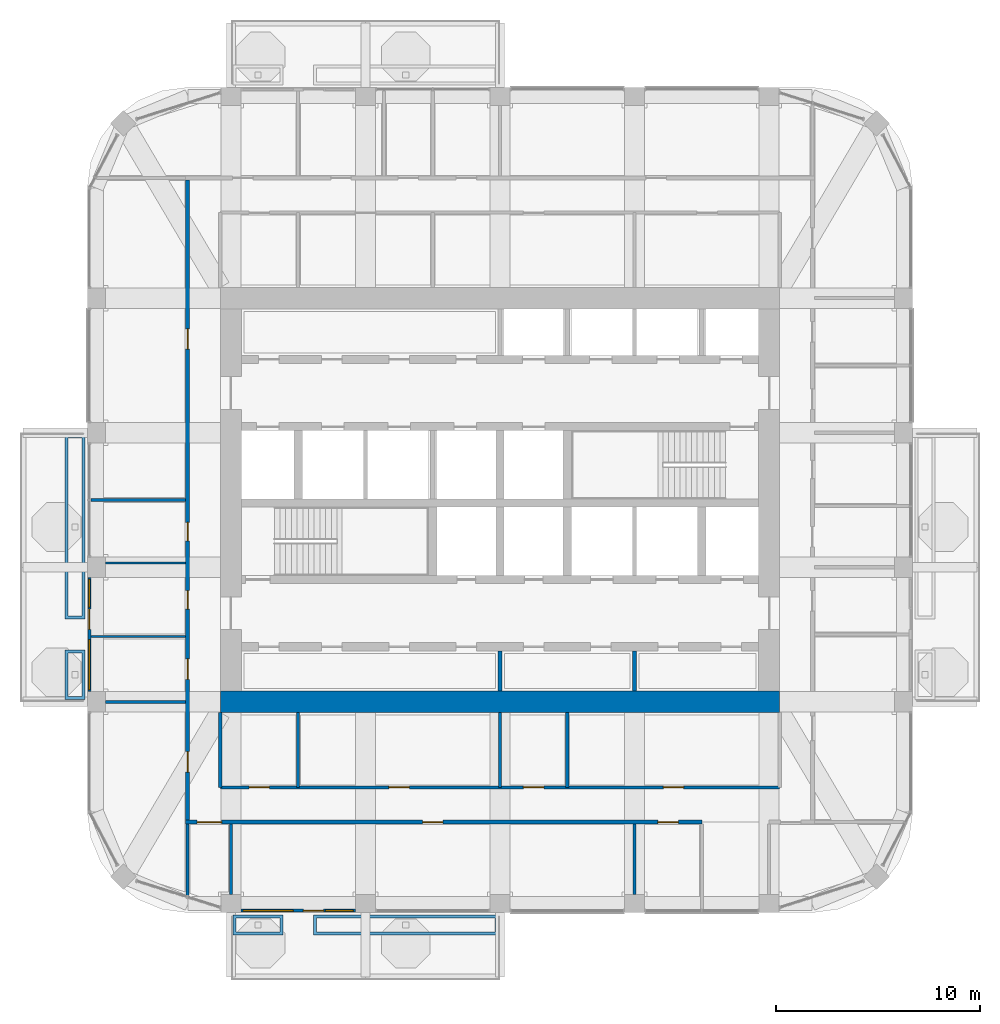
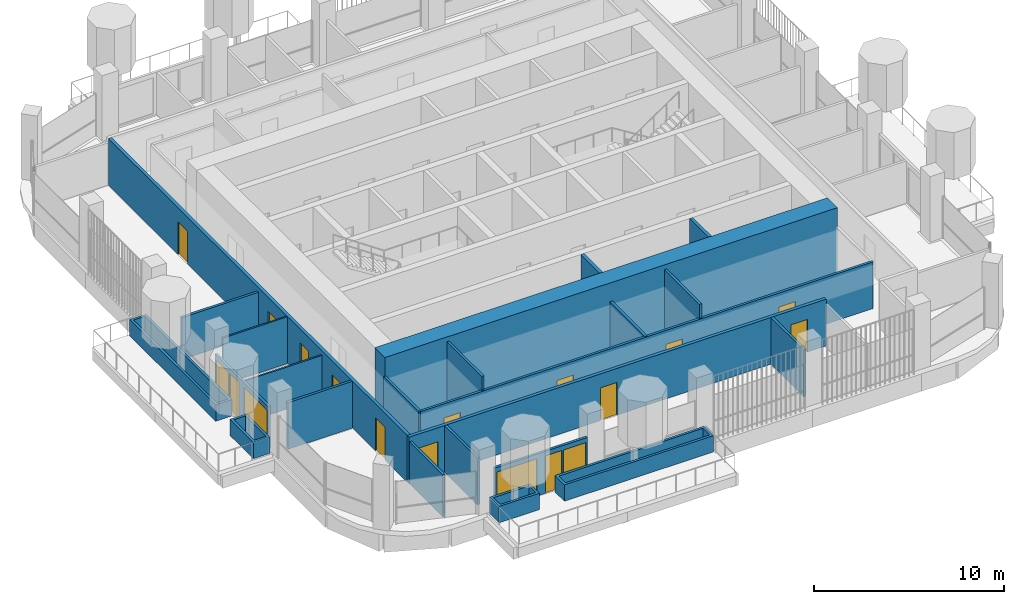
# One storey, part 12 of 20: 23 walls, 14 doors, 4 windows, 18 openings.
"""IFC4 building model written with IfcOpenShell, lengths in metres."""

from ifc_helpers import new_model, si_unit, direction, frame, frame_2d, origin, place, context, subcontext, project, spatial, polyline, rectangle, outline, extrude, material, layer, layer_set, type_object, element, fill, save


model = new_model("IFC4")

# Units and contexts
model_context = context("Model", 3, precision=1e-05, world=origin(), true_north=direction((0.0, 1.0)))
body_context = subcontext(model_context, "Body", "Model", "MODEL_VIEW")
ifc_project = project(units=[si_unit("LENGTHUNIT", "METRE"), si_unit("AREAUNIT", "SQUARE_METRE"), si_unit("VOLUMEUNIT", "CUBIC_METRE"), si_unit("PLANEANGLEUNIT", "RADIAN"), si_unit("MASSUNIT", "GRAM", prefix="KILO")], contexts=[model_context])

# Site, building, storey
site_placement = place(None, origin())
site = spatial("IfcSite", under=ifc_project, at=site_placement, CompositionType="ELEMENT")
building_placement = place(site_placement, origin())
building = spatial("IfcBuilding", under=site, at=building_placement, Name="Cobogo Forest Laboratory Tower", CompositionType="ELEMENT")
storey_placement = place(building_placement, frame((0.0, 0.0, 279.60009765625)))
storey = spatial("IfcBuildingStorey", under=building, at=storey_placement, Name="L64", CompositionType="ELEMENT", Elevation=279.60009765625)

# Wall
ifc_material_1 = material(Name="Concrete HA-50 (C50/60)", Category="concrete")
ifc_layer_1 = layer(ifc_material_1, 1.050048828125)
ifc_layer_set_1 = layer_set([ifc_layer_1], Name="CW1050 core outer wall 1050")
wall_type_1 = type_object("IfcWallType", Name="CW1050 core outer wall 1050", PredefinedType="SHEAR", material=ifc_layer_set_1)
wall_1_placement = place(storey_placement, frame((12.675048828125, 13.199951171875, 0.0), z_axis=(0.0, 0.0, 1.0), x_axis=(1.0, 0.0, 0.0)))
element("IfcWall", 1, at=wall_1_placement, inside=storey, type_object=wall_type_1, Name="Core wall CO-S L64", PredefinedType="SHEAR", context=body_context, shape_type="SweptSolid", body=[
    extrude(rectangle(XDim=27.449951171875, YDim=1.050048828125, at=frame_2d((13.72509765625, 0.0))), origin(), (0.0, 0.0, 1.0), 4.199951171875),
])

# Wall, openings, door, windows
ifc_material_2 = material(Name="Aluminium framed glazed screen", Category="aluminium")
ifc_layer_2 = layer(ifc_material_2, 0.14990234375)
ifc_layer_set_2 = layer_set([ifc_layer_2], Name="GS1 glazed door screen 150")
wall_type_2 = type_object("IfcWallType", Name="GS1 glazed door screen 150", PredefinedType="SOLIDWALL", material=ifc_layer_set_2)
wall_2_placement = place(storey_placement, frame((13.699951171875, 2.949951171875, 0.0), z_axis=(0.0, 0.0, 1.0), x_axis=(1.0, 0.0, 0.0)))
wall_2 = element("IfcWall", 2, at=wall_2_placement, inside=storey, type_object=wall_type_2, Name="Door screen BAL-S1 L64", PredefinedType="SOLIDWALL", context=body_context, shape_type="SweptSolid", body=[
    extrude(rectangle(XDim=5.60009765625, YDim=0.14990234375, at=frame_2d((2.800048828125, 0.0))), origin(), (0.0, 0.0, 1.0), 2.699951171875),
])
opening_1_placement = place(wall_2_placement, frame((3.050048828125, 0.0, 0.0)))
opening_1 = element("IfcOpeningElement", 3, at=opening_1_placement, cuts=wall_2, Name="Opening L64-D01", PredefinedType="OPENING", context=body_context, shape_type="SweptSolid", body=[
    extrude(rectangle(XDim=1.0, YDim=2.39990234375, at=frame_2d((0.5, 1.199951171875))), frame((0.0, 0.0849609375, 0.0), z_axis=(0.0, -1.0, 0.0), x_axis=(1.0, 0.0, 0.0)), (0.0, 0.0, 1.0), 0.169921875),
])
opening_2_placement = place(wall_2_placement, frame((0.10009765625, 0.0, 0.10009765625)))
opening_2 = element("IfcOpeningElement", 4, at=opening_2_placement, cuts=wall_2, Name="Opening L64-W01", PredefinedType="OPENING", context=body_context, shape_type="SweptSolid", body=[
    extrude(rectangle(XDim=2.449951171875, YDim=2.300048828125, at=frame_2d((1.22509765625, 1.14990234375))), frame((0.0, 0.0849609375, 0.0), z_axis=(0.0, -1.0, 0.0), x_axis=(1.0, 0.0, 0.0)), (0.0, 0.0, 1.0), 0.169921875),
])
opening_3_placement = place(wall_2_placement, frame((4.14990234375, 0.0, 0.10009765625)))
opening_3 = element("IfcOpeningElement", 5, at=opening_3_placement, cuts=wall_2, Name="Opening L64-W02", PredefinedType="OPENING", context=body_context, shape_type="SweptSolid", body=[
    extrude(rectangle(XDim=1.35009765625, YDim=2.300048828125, at=frame_2d((0.675048828125, 1.14990234375))), frame((0.0, 0.0849609375, 0.0), z_axis=(0.0, -1.0, 0.0), x_axis=(1.0, 0.0, 0.0)), (0.0, 0.0, 1.0), 0.169921875),
])
ifc_material_3 = material(Name="Aluminium glazed door", Category="aluminium")
door_type_1 = type_object("IfcDoorType", Name="DB1 balcony door 1000 glazed", OperationType="SINGLE_SWING_LEFT", PredefinedType="DOOR", material=ifc_material_3)
door_1_placement = place(opening_1_placement, origin())
door_1 = element("IfcDoor", 6, at=door_1_placement, inside=storey, type_object=door_type_1, Name="Door L64-BAL-S1", OperationType="SINGLE_SWING_RIGHT", OverallHeight=2.39990234375, OverallWidth=1.0, PredefinedType="DOOR", context=body_context, shape_type="SweptSolid", body=[
    extrude(rectangle(XDim=1.0, YDim=2.39990234375, at=frame_2d((0.5, 1.199951171875))), frame((0.0, 0.02490234375, 0.0), z_axis=(0.0, -1.0, 0.0), x_axis=(1.0, 0.0, 0.0)), (0.0, 0.0, 1.0), 0.050048828125),
])
fill(opening_1, door_1)
ifc_material_4 = material(Name="Aluminium framed glazing", Category="aluminium")
window_type_1 = type_object("IfcWindowType", Name="WG23 fixed glazed light 2450x2300", PartitioningType="SINGLE_PANEL", PredefinedType="WINDOW", material=ifc_material_4)
window_1_placement = place(opening_2_placement, origin())
window_1 = element("IfcWindow", 7, at=window_1_placement, inside=storey, type_object=window_type_1, Name="Window L64-BAL-S1-1", OverallHeight=2.300048828125, OverallWidth=2.449951171875, PartitioningType="SINGLE_PANEL", PredefinedType="WINDOW", context=body_context, shape_type="SweptSolid", body=[
    extrude(rectangle(XDim=2.449951171875, YDim=2.300048828125, at=frame_2d((1.22509765625, 1.14990234375))), frame((0.0, 0.030029296875, 0.0), z_axis=(0.0, -1.0, 0.0), x_axis=(1.0, 0.0, 0.0)), (0.0, 0.0, 1.0), 0.06005859375),
])
fill(opening_2, window_1)
window_type_2 = type_object("IfcWindowType", Name="WG24 fixed glazed light 1350x2300", PartitioningType="SINGLE_PANEL", PredefinedType="WINDOW", material=ifc_material_4)
window_2_placement = place(opening_3_placement, origin())
window_2 = element("IfcWindow", 8, at=window_2_placement, inside=storey, type_object=window_type_2, Name="Window L64-BAL-S1-2", OverallHeight=2.300048828125, OverallWidth=1.35009765625, PartitioningType="SINGLE_PANEL", PredefinedType="WINDOW", context=body_context, shape_type="SweptSolid", body=[
    extrude(rectangle(XDim=1.35009765625, YDim=2.300048828125, at=frame_2d((0.675048828125, 1.14990234375))), frame((0.0, 0.030029296875, 0.0), z_axis=(0.0, -1.0, 0.0), x_axis=(1.0, 0.0, 0.0)), (0.0, 0.0, 1.0), 0.06005859375),
])
fill(opening_3, window_2)

wall_3_placement = place(storey_placement, frame((6.25, 19.300048828125, 0.0), z_axis=(0.0, 0.0, 1.0), x_axis=(0.0, -1.0, 0.0)))
wall_3 = element("IfcWall", 9, at=wall_3_placement, inside=storey, type_object=wall_type_2, Name="Door screen BAL-W1 L64", PredefinedType="SOLIDWALL", context=body_context, shape_type="SweptSolid", body=[
    extrude(rectangle(XDim=5.60009765625, YDim=0.14990234375, at=frame_2d((2.800048828125, 0.0))), origin(), (0.0, 0.0, 1.0), 2.699951171875),
])
opening_4_placement = place(wall_3_placement, frame((1.550048828125, 0.0, 0.0)))
opening_4 = element("IfcOpeningElement", 10, at=opening_4_placement, cuts=wall_3, Name="Opening L64-D21", PredefinedType="OPENING", context=body_context, shape_type="SweptSolid", body=[
    extrude(rectangle(XDim=1.0, YDim=2.39990234375, at=frame_2d((0.5, 1.199951171875))), frame((0.0, 0.0849609375, 0.0), z_axis=(0.0, -1.0, 0.0), x_axis=(1.0, 0.0, 0.0)), (0.0, 0.0, 1.0), 0.169921875),
])
opening_5_placement = place(wall_3_placement, frame((0.10009765625, 0.0, 0.10009765625)))
opening_5 = element("IfcOpeningElement", 11, at=opening_5_placement, cuts=wall_3, Name="Opening L64-W05", PredefinedType="OPENING", context=body_context, shape_type="SweptSolid", body=[
    extrude(rectangle(XDim=1.35009765625, YDim=2.300048828125, at=frame_2d((0.675048828125, 1.14990234375))), frame((0.0, 0.0849609375, 0.0), z_axis=(0.0, -1.0, 0.0), x_axis=(1.0, 0.0, 0.0)), (0.0, 0.0, 1.0), 0.169921875),
])
opening_6_placement = place(wall_3_placement, frame((3.050048828125, 0.0, 0.10009765625)))
opening_6 = element("IfcOpeningElement", 12, at=opening_6_placement, cuts=wall_3, Name="Opening L64-W03", PredefinedType="OPENING", context=body_context, shape_type="SweptSolid", body=[
    extrude(rectangle(XDim=2.449951171875, YDim=2.300048828125, at=frame_2d((1.22509765625, 1.14990234375))), frame((0.0, 0.0849609375, 0.0), z_axis=(0.0, -1.0, 0.0), x_axis=(1.0, 0.0, 0.0)), (0.0, 0.0, 1.0), 0.169921875),
])
door_2_placement = place(opening_4_placement, origin())
door_2 = element("IfcDoor", 13, at=door_2_placement, inside=storey, type_object=door_type_1, Name="Door L64-BAL-W1", OperationType="SINGLE_SWING_LEFT", OverallHeight=2.39990234375, OverallWidth=1.0, PredefinedType="DOOR", context=body_context, shape_type="SweptSolid", body=[
    extrude(rectangle(XDim=1.0, YDim=2.39990234375, at=frame_2d((0.5, 1.199951171875))), frame((0.0, 0.02490234375, 0.0), z_axis=(0.0, -1.0, 0.0), x_axis=(1.0, 0.0, 0.0)), (0.0, 0.0, 1.0), 0.050048828125),
])
fill(opening_4, door_2)
window_3_placement = place(opening_6_placement, origin())
window_3 = element("IfcWindow", 14, at=window_3_placement, inside=storey, type_object=window_type_1, Name="Window L64-BAL-W1-2", OverallHeight=2.300048828125, OverallWidth=2.449951171875, PartitioningType="SINGLE_PANEL", PredefinedType="WINDOW", context=body_context, shape_type="SweptSolid", body=[
    extrude(rectangle(XDim=2.449951171875, YDim=2.300048828125, at=frame_2d((1.22509765625, 1.14990234375))), frame((0.0, 0.030029296875, 0.0), z_axis=(0.0, -1.0, 0.0), x_axis=(1.0, 0.0, 0.0)), (0.0, 0.0, 1.0), 0.06005859375),
])
fill(opening_6, window_3)
window_4_placement = place(opening_5_placement, origin())
window_4 = element("IfcWindow", 15, at=window_4_placement, inside=storey, type_object=window_type_2, Name="Window L64-BAL-W1-1", OverallHeight=2.300048828125, OverallWidth=1.35009765625, PartitioningType="SINGLE_PANEL", PredefinedType="WINDOW", context=body_context, shape_type="SweptSolid", body=[
    extrude(rectangle(XDim=1.35009765625, YDim=2.300048828125, at=frame_2d((0.675048828125, 1.14990234375))), frame((0.0, 0.030029296875, 0.0), z_axis=(0.0, -1.0, 0.0), x_axis=(1.0, 0.0, 0.0)), (0.0, 0.0, 1.0), 0.06005859375),
])
fill(opening_5, window_4)

# Wall, openings, doors
ifc_material_5 = material(Name="Gypsum board on steel studs", Category="steel")
ifc_layer_3 = layer(ifc_material_5, 0.14990234375)
ifc_layer_set_3 = layer_set([ifc_layer_3], Name="PT1 laboratory partition 150")
wall_type_3 = type_object("IfcWallType", Name="PT1 laboratory partition 150", PredefinedType="PARTITIONING", material=ifc_layer_set_3)
wall_4_placement = place(storey_placement, frame((12.675048828125, 9.0, 0.0), z_axis=(0.0, 0.0, 1.0), x_axis=(1.0, 0.0, 0.0)))
wall_4 = element("IfcWall", 16, at=wall_4_placement, inside=storey, type_object=wall_type_3, Name="Partition CSTRIP-S L64", PredefinedType="PARTITIONING", context=body_context, shape_type="SweptSolid", body=[
    extrude(rectangle(XDim=27.449951171875, YDim=0.14990234375, at=frame_2d((13.72509765625, 0.0))), origin(), (0.0, 0.0, 1.0), 3.0),
])
opening_7_placement = place(wall_4_placement, frame((1.41259765625, 0.0, 0.0)))
opening_7 = element("IfcOpeningElement", 17, at=opening_7_placement, cuts=wall_4, Name="Opening L64-D06", PredefinedType="OPENING", context=body_context, shape_type="SweptSolid", body=[
    extrude(rectangle(XDim=1.0, YDim=2.10009765625, at=frame_2d((0.5, 1.050048828125))), frame((0.0, 0.0849609375, 0.0), z_axis=(0.0, -1.0, 0.0), x_axis=(1.0, 0.0, 0.0)), (0.0, 0.0, 1.0), 0.169921875),
])
opening_8_placement = place(wall_4_placement, frame((8.27490234375, 0.0, 0.0)))
opening_8 = element("IfcOpeningElement", 18, at=opening_8_placement, cuts=wall_4, Name="Opening L64-D07", PredefinedType="OPENING", context=body_context, shape_type="SweptSolid", body=[
    extrude(rectangle(XDim=1.0, YDim=2.10009765625, at=frame_2d((0.5, 1.050048828125))), frame((0.0, 0.0849609375, 0.0), z_axis=(0.0, -1.0, 0.0), x_axis=(1.0, 0.0, 0.0)), (0.0, 0.0, 1.0), 0.169921875),
])
opening_9_placement = place(wall_4_placement, frame((14.875, 0.0, 0.0)))
opening_9 = element("IfcOpeningElement", 19, at=opening_9_placement, cuts=wall_4, Name="Opening L64-D08", PredefinedType="OPENING", context=body_context, shape_type="SweptSolid", body=[
    extrude(rectangle(XDim=1.0, YDim=2.10009765625, at=frame_2d((0.5, 1.050048828125))), frame((0.0, 0.0849609375, 0.0), z_axis=(0.0, -1.0, 0.0), x_axis=(1.0, 0.0, 0.0)), (0.0, 0.0, 1.0), 0.169921875),
])
opening_10_placement = place(wall_4_placement, frame((21.737548828125, 0.0, 0.0)))
opening_10 = element("IfcOpeningElement", 20, at=opening_10_placement, cuts=wall_4, Name="Opening L64-D09", PredefinedType="OPENING", context=body_context, shape_type="SweptSolid", body=[
    extrude(rectangle(XDim=1.0, YDim=2.10009765625, at=frame_2d((0.5, 1.050048828125))), frame((0.0, 0.0849609375, 0.0), z_axis=(0.0, -1.0, 0.0), x_axis=(1.0, 0.0, 0.0)), (0.0, 0.0, 1.0), 0.169921875),
])
ifc_material_6 = material(Name="Timber fire door", Category="wood")
door_type_2 = type_object("IfcDoorType", Name="FD2 fire door 1000 EI2 30", OperationType="SINGLE_SWING_LEFT", PredefinedType="DOOR", material=ifc_material_6)
door_3_placement = place(opening_7_placement, origin())
door_3 = element("IfcDoor", 21, at=door_3_placement, inside=storey, type_object=door_type_2, Name="Door L64-CSS1", OperationType="SINGLE_SWING_LEFT", OverallHeight=2.10009765625, OverallWidth=1.0, PredefinedType="DOOR", context=body_context, shape_type="SweptSolid", body=[
    extrude(rectangle(XDim=1.0, YDim=2.10009765625, at=frame_2d((0.5, 1.050048828125))), frame((0.0, 0.02490234375, 0.0), z_axis=(0.0, -1.0, 0.0), x_axis=(1.0, 0.0, 0.0)), (0.0, 0.0, 1.0), 0.050048828125),
])
fill(opening_7, door_3)
door_4_placement = place(opening_8_placement, origin())
door_4 = element("IfcDoor", 22, at=door_4_placement, inside=storey, type_object=door_type_2, Name="Door L64-CSS2", OperationType="SINGLE_SWING_LEFT", OverallHeight=2.10009765625, OverallWidth=1.0, PredefinedType="DOOR", context=body_context, shape_type="SweptSolid", body=[
    extrude(rectangle(XDim=1.0, YDim=2.10009765625, at=frame_2d((0.5, 1.050048828125))), frame((0.0, 0.02490234375, 0.0), z_axis=(0.0, -1.0, 0.0), x_axis=(1.0, 0.0, 0.0)), (0.0, 0.0, 1.0), 0.050048828125),
])
fill(opening_8, door_4)
door_5_placement = place(opening_9_placement, origin())
door_5 = element("IfcDoor", 23, at=door_5_placement, inside=storey, type_object=door_type_2, Name="Door L64-CSS3", OperationType="SINGLE_SWING_RIGHT", OverallHeight=2.10009765625, OverallWidth=1.0, PredefinedType="DOOR", context=body_context, shape_type="SweptSolid", body=[
    extrude(rectangle(XDim=1.0, YDim=2.10009765625, at=frame_2d((0.5, 1.050048828125))), frame((0.0, 0.02490234375, 0.0), z_axis=(0.0, -1.0, 0.0), x_axis=(1.0, 0.0, 0.0)), (0.0, 0.0, 1.0), 0.050048828125),
])
fill(opening_9, door_5)
door_6_placement = place(opening_10_placement, origin())
door_6 = element("IfcDoor", 24, at=door_6_placement, inside=storey, type_object=door_type_2, Name="Door L64-CSS4", OperationType="SINGLE_SWING_RIGHT", OverallHeight=2.10009765625, OverallWidth=1.0, PredefinedType="DOOR", context=body_context, shape_type="SweptSolid", body=[
    extrude(rectangle(XDim=1.0, YDim=2.10009765625, at=frame_2d((0.5, 1.050048828125))), frame((0.0, 0.02490234375, 0.0), z_axis=(0.0, -1.0, 0.0), x_axis=(1.0, 0.0, 0.0)), (0.0, 0.0, 1.0), 0.050048828125),
])
fill(opening_10, door_6)

# Walls
wall_5_placement = place(storey_placement, frame((12.675048828125, 12.675048828125, 0.0), z_axis=(0.0, 0.0, 1.0), x_axis=(0.0, -1.0, 0.0)))
element("IfcWall", 25, at=wall_5_placement, inside=storey, type_object=wall_type_3, Name="Partition CSTRIP-SW L64", PredefinedType="PARTITIONING", context=body_context, shape_type="SweptSolid", body=[
    extrude(rectangle(XDim=3.675048828125, YDim=0.14990234375, at=frame_2d((1.83740234375, 0.0))), origin(), (0.0, 0.0, 1.0), 3.0),
])
wall_6_placement = place(storey_placement, frame((16.5, 12.675048828125, 0.0), z_axis=(0.0, 0.0, 1.0), x_axis=(0.0, -1.0, 0.0)))
element("IfcWall", 26, at=wall_6_placement, inside=storey, type_object=wall_type_3, Name="Partition CSTRIP-S16.5 L64", PredefinedType="PARTITIONING", context=body_context, shape_type="SweptSolid", body=[
    extrude(rectangle(XDim=3.675048828125, YDim=0.14990234375, at=frame_2d((1.83740234375, 0.0))), origin(), (0.0, 0.0, 1.0), 3.89990234375),
])
wall_7_placement = place(storey_placement, frame((26.39990234375, 12.675048828125, 0.0), z_axis=(0.0, 0.0, 1.0), x_axis=(0.0, -1.0, 0.0)))
element("IfcWall", 27, at=wall_7_placement, inside=storey, type_object=wall_type_3, Name="Partition CSTRIP-S26.4 L64", PredefinedType="PARTITIONING", context=body_context, shape_type="SweptSolid", body=[
    extrude(rectangle(XDim=3.675048828125, YDim=0.14990234375, at=frame_2d((1.83740234375, 0.0))), origin(), (0.0, 0.0, 1.0), 3.0),
])
wall_8_placement = place(storey_placement, frame((29.699951171875, 12.675048828125, 0.0), z_axis=(0.0, 0.0, 1.0), x_axis=(0.0, -1.0, 0.0)))
element("IfcWall", 28, at=wall_8_placement, inside=storey, type_object=wall_type_3, Name="Partition CSTRIP-S29.7 L64", PredefinedType="PARTITIONING", context=body_context, shape_type="SweptSolid", body=[
    extrude(rectangle(XDim=3.675048828125, YDim=0.14990234375, at=frame_2d((1.83740234375, 0.0))), origin(), (0.0, 0.0, 1.0), 3.89990234375),
])
wall_9_placement = place(storey_placement, frame((11.074951171875, 3.705078125, 0.0), z_axis=(0.0, 0.0, 1.0), x_axis=(0.0, 1.0, 0.0)))
element("IfcWall", 29, at=wall_9_placement, inside=storey, type_object=wall_type_3, Name="Partition PW-SW L64", PredefinedType="PARTITIONING", context=body_context, shape_type="SweptSolid", body=[
    extrude(rectangle(XDim=3.494873046875, YDim=0.14990234375, at=frame_2d((1.74755859375, 0.0))), origin(), (0.0, 0.0, 1.0), 2.699951171875),
])
for number, where, z_axis, x_axis, name in (
    (30, (13.199951171875, 3.75, 0.0), (0.0, 0.0, 1.0), (0.0, 1.0, 0.0), "Partition CUT-S13.2-1 L64"),
    (31, (33.0, 3.75, 0.0), (0.0, 0.0, 1.0), (0.0, 1.0, 0.0), "Partition CUT-S33-1 L64"),
):
    element("IfcWall", number, at=place(storey_placement, frame(where, z_axis=z_axis, x_axis=x_axis)), inside=storey, type_object=wall_type_3, Name=name, PredefinedType="PARTITIONING", context=body_context, shape_type="SweptSolid", body=[
        extrude(rectangle(XDim=3.449951171875, YDim=0.14990234375, at=frame_2d((1.72509765625, 0.0))), origin(), (0.0, 0.0, 1.0), 3.0),
    ])
wall_10_placement = place(storey_placement, frame((6.330078125, 23.10009765625, 0.0), z_axis=(0.0, 0.0, 1.0), x_axis=(1.0, 0.0, 0.0)))
element("IfcWall", 32, at=wall_10_placement, inside=storey, type_object=wall_type_3, Name="Partition SVC-W3-1 L64", PredefinedType="PARTITIONING", context=body_context, shape_type="SweptSolid", body=[
    extrude(rectangle(XDim=4.64501953125, YDim=0.14990234375, at=frame_2d((2.322509765625, 0.0))), origin(), (0.0, 0.0, 1.0), 2.699951171875),
])
wall_11_placement = place(storey_placement, frame((7.050048828125, 13.199951171875, 0.0), z_axis=(0.0, 0.0, 1.0), x_axis=(1.0, 0.0, 0.0)))
element("IfcWall", 33, at=wall_11_placement, inside=storey, type_object=wall_type_3, Name="Partition CUT-W13.2-1 L64", PredefinedType="PARTITIONING", context=body_context, shape_type="SweptSolid", body=[
    extrude(rectangle(XDim=3.925048828125, YDim=0.14990234375, at=frame_2d((1.96240234375, 0.0))), origin(), (0.0, 0.0, 1.0), 3.0),
])

# Wall, openings, doors
ifc_layer_4 = layer(ifc_material_5, 0.199951171875)
ifc_layer_set_4 = layer_set([ifc_layer_4], Name="PT2 fire-rated corridor partition 200")
wall_type_4 = type_object("IfcWallType", Name="PT2 fire-rated corridor partition 200", PredefinedType="PARTITIONING", material=ifc_layer_set_4)
wall_12_placement = place(storey_placement, frame((10.97509765625, 7.300048828125, 0.0), z_axis=(0.0, 0.0, 1.0), x_axis=(1.0, 0.0, 0.0)))
wall_12 = element("IfcWall", 34, at=wall_12_placement, inside=storey, type_object=wall_type_4, Name="Partition CORR-S-1 L64", PredefinedType="PARTITIONING", context=body_context, shape_type="SweptSolid", body=[
    extrude(rectangle(XDim=25.324951171875, YDim=0.199951171875, at=frame_2d((12.66259765625, 0.0))), origin(), (0.0, 0.0, 1.0), 3.0),
])
opening_11_placement = place(wall_12_placement, frame((0.5625, 0.0, 0.0)))
opening_11 = element("IfcOpeningElement", 35, at=opening_11_placement, cuts=wall_12, Name="Opening L64-D02", PredefinedType="OPENING", context=body_context, shape_type="SweptSolid", body=[
    extrude(rectangle(XDim=1.199951171875, YDim=2.10009765625, at=frame_2d((0.60009765625, 1.050048828125))), frame((0.0, 0.10986328125, 0.0), z_axis=(0.0, -1.0, 0.0), x_axis=(1.0, 0.0, 0.0)), (0.0, 0.0, 1.0), 0.219970703125),
])
opening_12_placement = place(wall_12_placement, frame((11.625, 0.0, 0.0)))
opening_12 = element("IfcOpeningElement", 36, at=opening_12_placement, cuts=wall_12, Name="Opening L64-D03", PredefinedType="OPENING", context=body_context, shape_type="SweptSolid", body=[
    extrude(rectangle(XDim=1.0, YDim=2.10009765625, at=frame_2d((0.5, 1.050048828125))), frame((0.0, 0.10986328125, 0.0), z_axis=(0.0, -1.0, 0.0), x_axis=(1.0, 0.0, 0.0)), (0.0, 0.0, 1.0), 0.219970703125),
])
opening_13_placement = place(wall_12_placement, frame((23.175048828125, 0.0, 0.0)))
opening_13 = element("IfcOpeningElement", 37, at=opening_13_placement, cuts=wall_12, Name="Opening L64-D04", PredefinedType="OPENING", context=body_context, shape_type="SweptSolid", body=[
    extrude(rectangle(XDim=1.0, YDim=2.10009765625, at=frame_2d((0.5, 1.050048828125))), frame((0.0, 0.10986328125, 0.0), z_axis=(0.0, -1.0, 0.0), x_axis=(1.0, 0.0, 0.0)), (0.0, 0.0, 1.0), 0.219970703125),
])
ifc_material_7 = material(Name="Timber door", Category="wood")
door_type_3 = type_object("IfcDoorType", Name="D2 laboratory door 1200 unequal pair", OperationType="DOUBLE_DOOR_SINGLE_SWING", PredefinedType="DOOR", material=ifc_material_7)
door_7_placement = place(opening_11_placement, origin())
door_7 = element("IfcDoor", 38, at=door_7_placement, inside=storey, type_object=door_type_3, Name="Door L64-S1", OperationType="DOUBLE_DOOR_SINGLE_SWING", OverallHeight=2.10009765625, OverallWidth=1.199951171875, PredefinedType="DOOR", context=body_context, shape_type="SweptSolid", body=[
    extrude(rectangle(XDim=1.199951171875, YDim=2.10009765625, at=frame_2d((0.60009765625, 1.050048828125))), frame((0.0, 0.02490234375, 0.0), z_axis=(0.0, -1.0, 0.0), x_axis=(1.0, 0.0, 0.0)), (0.0, 0.0, 1.0), 0.050048828125),
])
fill(opening_11, door_7)
door_8_placement = place(opening_12_placement, origin())
door_8 = element("IfcDoor", 39, at=door_8_placement, inside=storey, type_object=door_type_2, Name="Door L64-S2", OperationType="SINGLE_SWING_LEFT", OverallHeight=2.10009765625, OverallWidth=1.0, PredefinedType="DOOR", context=body_context, shape_type="SweptSolid", body=[
    extrude(rectangle(XDim=1.0, YDim=2.10009765625, at=frame_2d((0.5, 1.050048828125))), frame((0.0, 0.02490234375, 0.0), z_axis=(0.0, -1.0, 0.0), x_axis=(1.0, 0.0, 0.0)), (0.0, 0.0, 1.0), 0.050048828125),
])
fill(opening_12, door_8)
door_9_placement = place(opening_13_placement, origin())
door_9 = element("IfcDoor", 40, at=door_9_placement, inside=storey, type_object=door_type_2, Name="Door L64-S3", OperationType="SINGLE_SWING_RIGHT", OverallHeight=2.10009765625, OverallWidth=1.0, PredefinedType="DOOR", context=body_context, shape_type="SweptSolid", body=[
    extrude(rectangle(XDim=1.0, YDim=2.10009765625, at=frame_2d((0.5, 1.050048828125))), frame((0.0, 0.02490234375, 0.0), z_axis=(0.0, -1.0, 0.0), x_axis=(1.0, 0.0, 0.0)), (0.0, 0.0, 1.0), 0.050048828125),
])
fill(opening_13, door_9)

wall_13_placement = place(storey_placement, frame((11.074951171875, 7.39990234375, 0.0), z_axis=(0.0, 0.0, 1.0), x_axis=(0.0, 1.0, 0.0)))
wall_13 = element("IfcWall", 41, at=wall_13_placement, inside=storey, type_object=wall_type_4, Name="Partition CORR-W L64", PredefinedType="PARTITIONING", context=body_context, shape_type="SweptSolid", body=[
    extrude(rectangle(XDim=31.400146484375, YDim=0.199951171875, at=frame_2d((15.7001953125, 0.0))), origin(), (0.0, 0.0, 1.0), 3.0),
])
opening_14_placement = place(wall_13_placement, frame((2.35009765625, 0.0, 0.0)))
opening_14 = element("IfcOpeningElement", 42, at=opening_14_placement, cuts=wall_13, Name="Opening L64-D10", PredefinedType="OPENING", context=body_context, shape_type="SweptSolid", body=[
    extrude(rectangle(XDim=1.0, YDim=2.10009765625, at=frame_2d((0.5, 1.050048828125))), frame((0.0, 0.10986328125, 0.0), z_axis=(0.0, -1.0, 0.0), x_axis=(1.0, 0.0, 0.0)), (0.0, 0.0, 1.0), 0.219970703125),
])
opening_15_placement = place(wall_13_placement, frame((6.89990234375, 0.0, 0.0)))
opening_15 = element("IfcOpeningElement", 43, at=opening_15_placement, cuts=wall_13, Name="Opening L64-D12", PredefinedType="OPENING", context=body_context, shape_type="SweptSolid", body=[
    extrude(rectangle(XDim=1.0, YDim=2.10009765625, at=frame_2d((0.5, 1.050048828125))), frame((0.0, 0.10986328125, 0.0), z_axis=(0.0, -1.0, 0.0), x_axis=(1.0, 0.0, 0.0)), (0.0, 0.0, 1.0), 0.219970703125),
])
opening_16_placement = place(wall_13_placement, frame((10.35009765625, 0.0, 0.0)))
opening_16 = element("IfcOpeningElement", 44, at=opening_16_placement, cuts=wall_13, Name="Opening L64-D26", PredefinedType="OPENING", context=body_context, shape_type="SweptSolid", body=[
    extrude(rectangle(XDim=0.89990234375, YDim=2.10009765625, at=frame_2d((0.449951171875, 1.050048828125))), frame((0.0, 0.10986328125, 0.0), z_axis=(0.0, -1.0, 0.0), x_axis=(1.0, 0.0, 0.0)), (0.0, 0.0, 1.0), 0.219970703125),
])
opening_17_placement = place(wall_13_placement, frame((13.699951171875, 0.0, 0.0)))
opening_17 = element("IfcOpeningElement", 45, at=opening_17_placement, cuts=wall_13, Name="Opening L64-D31", PredefinedType="OPENING", context=body_context, shape_type="SweptSolid", body=[
    extrude(rectangle(XDim=0.89990234375, YDim=2.10009765625, at=frame_2d((0.449951171875, 1.050048828125))), frame((0.0, 0.10986328125, 0.0), z_axis=(0.0, -1.0, 0.0), x_axis=(1.0, 0.0, 0.0)), (0.0, 0.0, 1.0), 0.219970703125),
])
opening_18_placement = place(wall_13_placement, frame((23.10009765625, 0.0, 0.0)))
opening_18 = element("IfcOpeningElement", 46, at=opening_18_placement, cuts=wall_13, Name="Opening L64-D41", PredefinedType="OPENING", context=body_context, shape_type="SweptSolid", body=[
    extrude(rectangle(XDim=1.0, YDim=2.10009765625, at=frame_2d((0.5, 1.050048828125))), frame((0.0, 0.10986328125, 0.0), z_axis=(0.0, -1.0, 0.0), x_axis=(1.0, 0.0, 0.0)), (0.0, 0.0, 1.0), 0.219970703125),
])
door_10_placement = place(opening_14_placement, origin())
door_10 = element("IfcDoor", 47, at=door_10_placement, inside=storey, type_object=door_type_2, Name="Door L64-W1", OperationType="SINGLE_SWING_LEFT", OverallHeight=2.10009765625, OverallWidth=1.0, PredefinedType="DOOR", context=body_context, shape_type="SweptSolid", body=[
    extrude(rectangle(XDim=1.0, YDim=2.10009765625, at=frame_2d((0.5, 1.050048828125))), frame((0.0, 0.02490234375, 0.0), z_axis=(0.0, -1.0, 0.0), x_axis=(1.0, 0.0, 0.0)), (0.0, 0.0, 1.0), 0.050048828125),
])
fill(opening_14, door_10)
door_11_placement = place(opening_18_placement, origin())
door_11 = element("IfcDoor", 48, at=door_11_placement, inside=storey, type_object=door_type_2, Name="Door L64-W2", OperationType="SINGLE_SWING_RIGHT", OverallHeight=2.10009765625, OverallWidth=1.0, PredefinedType="DOOR", context=body_context, shape_type="SweptSolid", body=[
    extrude(rectangle(XDim=1.0, YDim=2.10009765625, at=frame_2d((0.5, 1.050048828125))), frame((0.0, 0.02490234375, 0.0), z_axis=(0.0, -1.0, 0.0), x_axis=(1.0, 0.0, 0.0)), (0.0, 0.0, 1.0), 0.050048828125),
])
fill(opening_18, door_11)
door_type_4 = type_object("IfcDoorType", Name="FD3 toilet fire door 900 EI2 30", OperationType="SINGLE_SWING_LEFT", PredefinedType="DOOR", material=ifc_material_6)
door_12_placement = place(opening_16_placement, origin())
door_12 = element("IfcDoor", 49, at=door_12_placement, inside=storey, type_object=door_type_4, Name="Door L64-WCF", OperationType="SINGLE_SWING_LEFT", OverallHeight=2.10009765625, OverallWidth=0.89990234375, PredefinedType="DOOR", context=body_context, shape_type="SweptSolid", body=[
    extrude(rectangle(XDim=0.89990234375, YDim=2.10009765625, at=frame_2d((0.449951171875, 1.050048828125))), frame((0.0, 0.02490234375, 0.0), z_axis=(0.0, -1.0, 0.0), x_axis=(1.0, 0.0, 0.0)), (0.0, 0.0, 1.0), 0.050048828125),
])
fill(opening_16, door_12)
door_13_placement = place(opening_17_placement, origin())
door_13 = element("IfcDoor", 50, at=door_13_placement, inside=storey, type_object=door_type_4, Name="Door L64-WCM", OperationType="SINGLE_SWING_LEFT", OverallHeight=2.10009765625, OverallWidth=0.89990234375, PredefinedType="DOOR", context=body_context, shape_type="SweptSolid", body=[
    extrude(rectangle(XDim=0.89990234375, YDim=2.10009765625, at=frame_2d((0.449951171875, 1.050048828125))), frame((0.0, 0.02490234375, 0.0), z_axis=(0.0, -1.0, 0.0), x_axis=(1.0, 0.0, 0.0)), (0.0, 0.0, 1.0), 0.050048828125),
])
fill(opening_17, door_13)
door_type_5 = type_object("IfcDoorType", Name="FDA1 accessible toilet fire door 1000 EI2 30", OperationType="SINGLE_SWING_RIGHT", PredefinedType="DOOR", material=ifc_material_6)
door_14_placement = place(opening_15_placement, origin())
door_14 = element("IfcDoor", 51, at=door_14_placement, inside=storey, type_object=door_type_5, Name="Door L64-WCA", OperationType="SINGLE_SWING_LEFT", OverallHeight=2.10009765625, OverallWidth=1.0, PredefinedType="DOOR", context=body_context, shape_type="SweptSolid", body=[
    extrude(rectangle(XDim=1.0, YDim=2.10009765625, at=frame_2d((0.5, 1.050048828125))), frame((0.0, 0.02490234375, 0.0), z_axis=(0.0, -1.0, 0.0), x_axis=(1.0, 0.0, 0.0)), (0.0, 0.0, 1.0), 0.050048828125),
])
fill(opening_15, door_14)

# Walls
ifc_layer_5 = layer(ifc_material_5, 0.10009765625)
ifc_layer_set_5 = layer_set([ifc_layer_5], Name="PT3 toilet partition 100")
wall_type_5 = type_object("IfcWallType", Name="PT3 toilet partition 100", PredefinedType="PARTITIONING", material=ifc_layer_set_5)
wall_14_placement = place(storey_placement, frame((6.330078125, 16.39990234375, 0.0), z_axis=(0.0, 0.0, 1.0), x_axis=(1.0, 0.0, 0.0)))
element("IfcWall", 52, at=wall_14_placement, inside=storey, type_object=wall_type_5, Name="Partition SVC-W1-1 L64", PredefinedType="PARTITIONING", context=body_context, shape_type="SweptSolid", body=[
    extrude(rectangle(XDim=4.64501953125, YDim=0.10009765625, at=frame_2d((2.322509765625, 0.0))), origin(), (0.0, 0.0, 1.0), 2.699951171875),
])
wall_15_placement = place(storey_placement, frame((7.050048828125, 20.0, 0.0), z_axis=(0.0, 0.0, 1.0), x_axis=(1.0, 0.0, 0.0)))
element("IfcWall", 53, at=wall_15_placement, inside=storey, type_object=wall_type_5, Name="Partition SVC-W2-1 L64", PredefinedType="PARTITIONING", context=body_context, shape_type="SweptSolid", body=[
    extrude(rectangle(XDim=3.925048828125, YDim=0.10009765625, at=frame_2d((1.96240234375, 0.0))), origin(), (0.0, 0.0, 1.0), 3.0),
])
ifc_material_8 = material(Name="Concrete HA-40 (C40/50)", Category="concrete")
ifc_layer_6 = layer(ifc_material_8, 0.14990234375)
ifc_layer_set_6 = layer_set([ifc_layer_6], Name="Planter box 1000x1050")
wall_type_6 = type_object("IfcWallType", Name="Planter box 1000x1050", PredefinedType="USERDEFINED", material=ifc_layer_set_6)
wall_16_placement = place(storey_placement, origin())
element("IfcWall", 54, at=wall_16_placement, inside=storey, type_object=wall_type_6, Name="Planter BAL-S1-1 L64", ObjectType="PLANTER", PredefinedType="USERDEFINED", context=body_context, shape_type="SweptSolid", body=[
    extrude(outline(polyline([(13.300048828125, 1.75), (15.75, 1.75), (15.75, 2.75), (13.300048828125, 2.75), (13.300048828125, 1.75)]), holes=[polyline([(13.449951171875, 1.89990234375), (15.60009765625, 1.89990234375), (15.60009765625, 2.60009765625), (13.449951171875, 2.60009765625), (13.449951171875, 1.89990234375)])]), origin(), (0.0, 0.0, 1.0), 1.0498046875),
])
wall_17_placement = place(storey_placement, origin())
element("IfcWall", 55, at=wall_17_placement, inside=storey, type_object=wall_type_6, Name="Planter BAL-S1-2 L64", ObjectType="PLANTER", PredefinedType="USERDEFINED", context=body_context, shape_type="SweptSolid", body=[
    extrude(outline(polyline([(17.25, 1.75), (26.300048828125, 1.75), (26.300048828125, 2.75), (17.25, 2.75), (17.25, 1.75)]), holes=[polyline([(17.39990234375, 1.89990234375), (26.14990234375, 1.89990234375), (26.14990234375, 2.60009765625), (17.39990234375, 2.60009765625), (17.39990234375, 1.89990234375)])]), origin(), (0.0, 0.0, 1.0), 1.0498046875),
])
wall_18_placement = place(storey_placement, origin())
element("IfcWall", 56, at=wall_18_placement, inside=storey, type_object=wall_type_6, Name="Planter BAL-W1-1 L64", ObjectType="PLANTER", PredefinedType="USERDEFINED", context=body_context, shape_type="SweptSolid", body=[
    extrude(outline(polyline([(5.050048828125, 13.300048828125), (6.050048828125, 13.300048828125), (6.050048828125, 15.75), (5.050048828125, 15.75), (5.050048828125, 13.300048828125)]), holes=[polyline([(5.199951171875, 13.449951171875), (5.89990234375, 13.449951171875), (5.89990234375, 15.60009765625), (5.199951171875, 15.60009765625), (5.199951171875, 13.449951171875)])]), origin(), (0.0, 0.0, 1.0), 1.0498046875),
])
wall_19_placement = place(storey_placement, origin())
element("IfcWall", 57, at=wall_19_placement, inside=storey, type_object=wall_type_6, Name="Planter BAL-W1-2 L64", ObjectType="PLANTER", PredefinedType="USERDEFINED", context=body_context, shape_type="SweptSolid", body=[
    extrude(outline(polyline([(5.050048828125, 17.25), (6.050048828125, 17.25), (6.050048828125, 26.300048828125), (5.050048828125, 26.300048828125), (5.050048828125, 17.25)]), holes=[polyline([(5.199951171875, 17.39990234375), (5.89990234375, 17.39990234375), (5.89990234375, 26.14990234375), (5.199951171875, 26.14990234375), (5.199951171875, 17.39990234375)])]), origin(), (0.0, 0.0, 1.0), 1.0498046875),
])
ifc_material_9 = material(Name="Concrete block", Category="concrete")
ifc_layer_7 = layer(ifc_material_9, 0.199951171875)
ifc_layer_set_7 = layer_set([ifc_layer_7], Name="SW200 lift shaft separator 200")
wall_type_7 = type_object("IfcWallType", Name="SW200 lift shaft separator 200", PredefinedType="PARTITIONING", material=ifc_layer_set_7)
for number, where, z_axis, x_axis, name in (
    (58, (26.39990234375, 13.72509765625, 0.0), (0.0, 0.0, 1.0), (0.0, 1.0, 0.0), "Core wall SEP-S4 L64"),
    (59, (33.0, 13.72509765625, 0.0), (0.0, 0.0, 1.0), (0.0, 1.0, 0.0), "Core wall SEP-S6 L64"),
):
    element("IfcWall", number, at=place(storey_placement, frame(where, z_axis=z_axis, x_axis=x_axis)), inside=storey, type_object=wall_type_7, Name=name, PredefinedType="PARTITIONING", context=body_context, shape_type="SweptSolid", body=[
        extrude(rectangle(XDim=1.974853515625, YDim=0.199951171875, at=frame_2d((0.9873046875, 0.0))), origin(), (0.0, 0.0, 1.0), 4.199951171875),
    ])

save(model, "model.ifc")
